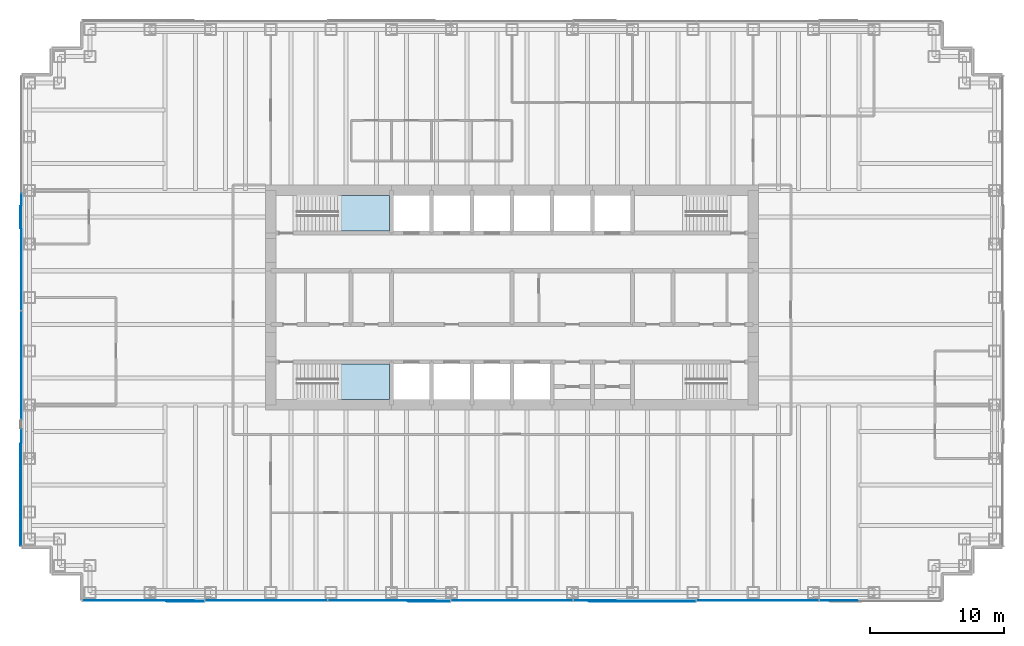
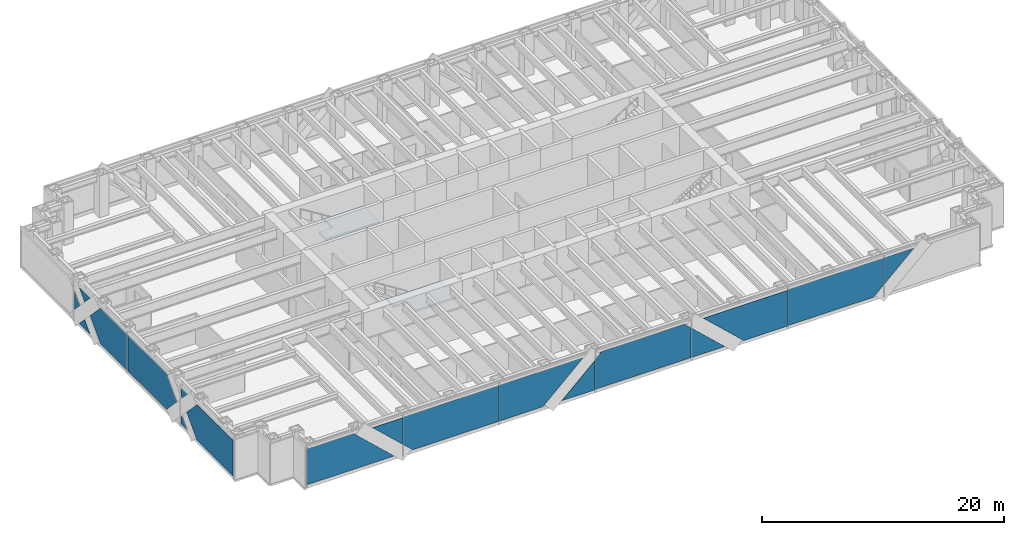
# One storey, part 10 of 19: 18 plates, 2 slabs, 4 elements without a shape of their own.
"""IFC4 building model written with IfcOpenShell, lengths in metres."""

from ifc_helpers import new_model, si_unit, direction, frame, origin, place, context, subcontext, project, spatial, polyline, outline, extrude, material, layer, layer_set, type_object, element, aggregate, save


model = new_model("IFC4")

# Units and contexts
model_context = context("Model", 3, precision=1e-05, world=origin(), true_north=direction((0.0, 1.0)))
body_context = subcontext(model_context, "Body", "Model", "MODEL_VIEW")
ifc_project = project(units=[si_unit("LENGTHUNIT", "METRE"), si_unit("AREAUNIT", "SQUARE_METRE"), si_unit("VOLUMEUNIT", "CUBIC_METRE"), si_unit("PLANEANGLEUNIT", "RADIAN"), si_unit("MASSUNIT", "GRAM", prefix="KILO")], contexts=[model_context])

# Site, building, storey
site_placement = place(None, origin())
site = spatial("IfcSite", under=ifc_project, at=site_placement, CompositionType="ELEMENT")
building_placement = place(site_placement, origin())
building = spatial("IfcBuilding", under=site, at=building_placement, Name="Rheinbord Bourse Tower", CompositionType="ELEMENT")
storey_placement = place(building_placement, frame((0.0, 0.0, 206.800048828125)))
storey = spatial("IfcBuildingStorey", under=building, at=storey_placement, Name="L46", CompositionType="ELEMENT", Elevation=206.800048828125)

# Curtain wall, plates
ifc_material_1 = material(Name="Dark glass and black aluminium", Category="aluminium")
curtain_wall_type = type_object("IfcCurtainWallType", Name="CW2 DARK GLASS CURTAIN WALL", PredefinedType="USERDEFINED", material=ifc_material_1)
curtain_wall_1_placement = place(storey_placement, origin())
curtain_wall_1 = element("IfcCurtainWall", 1, at=curtain_wall_1_placement, inside=storey, type_object=curtain_wall_type, Name="Curtain wall CW2 S L46", ObjectType="UNITISED CURTAIN WALL", PredefinedType="USERDEFINED")
ifc_material_2 = material(Name="Dark tinted triple insulating glass", Category="glass")
ifc_layer_1 = layer(ifc_material_2, 0.050048828125)
ifc_layer_set_1 = layer_set([ifc_layer_1], Name="CW2 DARK GLASS PANEL")
plate_type = type_object("IfcPlateType", Name="CW2 DARK GLASS PANEL", PredefinedType="CURTAIN_PANEL", material=ifc_layer_set_1)
plate_1_placement = place(storey_placement, frame((3.969970703125, 1.375, 0.300048828125), z_axis=(0.0, 1.0, 0.0), x_axis=(0.0, 0.0, 1.0)))
plate_1 = element("IfcPlate", 2, at=plate_1_placement, type_object=plate_type, Name="CW2 glass facet 1", PredefinedType="CURTAIN_PANEL", context=body_context, shape_type="SweptSolid", body=[
    extrude(outline(polyline([(0.0, 0.0), (3.599853515625, 0.0), (3.599853515625, 4.465087890625), (0.0, 8.322021484375), (0.0, 0.0)])), origin(), (0.0, 0.0, 1.0), 0.050048828125),
])
plate_2_placement = place(storey_placement, frame((13.035888671875, 1.31982421875, 3.89990234375), z_axis=(0.0, 1.0, 0.0), x_axis=(0.0, 0.0, -1.0)))
plate_2 = element("IfcPlate", 3, at=plate_2_placement, type_object=plate_type, Name="CW2 glass facet 2", PredefinedType="CURTAIN_PANEL", context=body_context, shape_type="SweptSolid", body=[
    extrude(outline(polyline([(0.0, 0.0), (2.639892578125, 0.0), (0.0, 2.827880859375), (0.0, 0.0)])), origin(), (0.0, 0.0, 1.0), 0.050048828125),
])
plate_3_placement = place(storey_placement, frame((13.10595703125, 1.375, 3.89990234375), z_axis=(0.0, 1.0, 0.0), x_axis=(1.0, 0.0, 0.0)))
plate_3 = element("IfcPlate", 4, at=plate_3_placement, type_object=plate_type, Name="CW2 glass facet 1", PredefinedType="CURTAIN_PANEL", context=body_context, shape_type="SweptSolid", body=[
    extrude(outline(polyline([(0.0, 0.0), (9.10205078125, 0.0), (9.10205078125, 3.599853515625), (0.958984375, 3.599853515625), (0.0, 2.704833984375), (0.0, 0.0)])), origin(), (0.0, 0.0, 1.0), 0.050048828125),
])
plate_4_placement = place(storey_placement, frame((22.278076171875, 1.375, 0.300048828125), z_axis=(0.0, 1.0, 0.0), x_axis=(0.0, 0.0, 1.0)))
plate_4 = element("IfcPlate", 5, at=plate_4_placement, type_object=plate_type, Name="CW2 glass facet 1", PredefinedType="CURTAIN_PANEL", context=body_context, shape_type="SweptSolid", body=[
    extrude(outline(polyline([(0.0, 0.0), (3.599853515625, 0.0), (3.599853515625, 8.013916015625), (0.0, 4.156982421875), (0.0, 0.0)])), origin(), (0.0, 0.0, 1.0), 0.050048828125),
])
plate_5_placement = place(storey_placement, frame((31.37890625, 1.31982421875, 0.300048828125), z_axis=(0.0, 1.0, 0.0), x_axis=(-1.0, 0.0, 0.0)))
plate_5 = element("IfcPlate", 6, at=plate_5_placement, type_object=plate_type, Name="CW2 glass facet 2", PredefinedType="CURTAIN_PANEL", context=body_context, shape_type="SweptSolid", body=[
    extrude(outline(polyline([(0.0, 0.0), (3.1708984375, 0.0), (0.0, 2.9599609375), (0.0, 0.0)])), origin(), (0.0, 0.0, 1.0), 0.050048828125),
])
plate_6_placement = place(storey_placement, frame((40.551025390625, 1.375, 0.300048828125), z_axis=(0.0, 1.0, 0.0), x_axis=(-1.0, 0.0, 0.0)))
plate_6 = element("IfcPlate", 7, at=plate_6_placement, type_object=plate_type, Name="CW2 glass facet 1", PredefinedType="CURTAIN_PANEL", context=body_context, shape_type="SweptSolid", body=[
    extrude(outline(polyline([(0.0, 0.0), (9.10205078125, 0.0), (9.10205078125, 3.02490234375), (8.486083984375, 3.599853515625), (0.615966796875, 3.599853515625), (0.0, 3.02490234375), (0.0, 0.0)])), origin(), (0.0, 0.0, 1.0), 0.050048828125),
])
plate_7_placement = place(storey_placement, frame((40.62109375, 1.375, 0.300048828125), z_axis=(0.0, 1.0, 0.0), x_axis=(0.0, 0.0, 1.0)))
plate_7 = element("IfcPlate", 8, at=plate_7_placement, type_object=plate_type, Name="CW2 glass facet 1", PredefinedType="CURTAIN_PANEL", context=body_context, shape_type="SweptSolid", body=[
    extrude(outline(polyline([(0.0, 0.0), (2.9599609375, 0.0), (0.0, 3.1708984375), (0.0, 0.0)])), origin(), (0.0, 0.0, 1.0), 0.050048828125),
])
plate_8_placement = place(storey_placement, frame((49.721923828125, 1.31982421875, 3.89990234375), z_axis=(0.0, 1.0, 0.0), x_axis=(0.0, 0.0, -1.0)))
plate_8 = element("IfcPlate", 9, at=plate_8_placement, type_object=plate_type, Name="CW2 glass facet 2", PredefinedType="CURTAIN_PANEL", context=body_context, shape_type="SweptSolid", body=[
    extrude(outline(polyline([(0.0, 0.0), (3.599853515625, 0.0), (3.599853515625, 4.156982421875), (0.0, 8.013916015625), (0.0, 0.0)])), origin(), (0.0, 0.0, 1.0), 0.050048828125),
])
plate_9_placement = place(storey_placement, frame((49.7919921875, 1.375, 0.300048828125), z_axis=(0.0, 1.0, 0.0), x_axis=(0.0, 0.0, 1.0)))
plate_9 = element("IfcPlate", 10, at=plate_9_placement, type_object=plate_type, Name="CW2 glass facet 1", PredefinedType="CURTAIN_PANEL", context=body_context, shape_type="SweptSolid", body=[
    extrude(outline(polyline([(0.0, 0.0), (3.599853515625, 0.0), (3.599853515625, 9.10205078125), (0.89501953125, 9.10205078125), (0.0, 8.14306640625), (0.0, 0.0)])), origin(), (0.0, 0.0, 1.0), 0.050048828125),
])
plate_10_placement = place(storey_placement, frame((58.964111328125, 1.375, 3.89990234375), z_axis=(0.0, 1.0, 0.0), x_axis=(1.0, 0.0, 0.0)))
plate_10 = element("IfcPlate", 11, at=plate_10_placement, type_object=plate_type, Name="CW2 glass facet 1", PredefinedType="CURTAIN_PANEL", context=body_context, shape_type="SweptSolid", body=[
    extrude(outline(polyline([(0.0, 0.0), (2.827880859375, 0.0), (0.0, 2.639892578125), (0.0, 0.0)])), origin(), (0.0, 0.0, 1.0), 0.050048828125),
])
aggregate(curtain_wall_1, [plate_1, plate_2, plate_3, plate_4, plate_5, plate_6, plate_7, plate_8, plate_9, plate_10])

curtain_wall_2_placement = place(storey_placement, origin())
curtain_wall_2 = element("IfcCurtainWall", 12, at=curtain_wall_2_placement, inside=storey, type_object=curtain_wall_type, Name="Curtain wall CW2 W L46", ObjectType="UNITISED CURTAIN WALL", PredefinedType="USERDEFINED")
plate_11_placement = place(storey_placement, frame((-0.625, 31.764892578125, 3.075927734375), z_axis=(1.0, 0.0, 0.0), x_axis=(0.0, -0.689786297997, -0.724013026882)))
plate_11 = element("IfcPlate", 13, at=plate_11_placement, type_object=plate_type, Name="CW2 glass facet 1", PredefinedType="CURTAIN_PANEL", context=body_context, shape_type="SweptSolid", body=[
    extrude(outline(polyline([(0.0, 0.0), (1.34814453125, 0.0), (1.4130859375, 1.346435546875), (0.0, 0.0)])), origin(), (0.0, 0.0, 1.0), 0.050048828125),
])
plate_12_placement = place(storey_placement, frame((-0.68017578125, 30.87890625, 0.300048828125), z_axis=(1.0, 0.0, 0.0), x_axis=(0.0, -0.689655172414, 0.724137931034)))
plate_12 = element("IfcPlate", 14, at=plate_12_placement, type_object=plate_type, Name="CW2 glass facet 2", PredefinedType="CURTAIN_PANEL", context=body_context, shape_type="SweptSolid", body=[
    extrude(outline(polyline([(0.0, 0.0), (1.2744140625, 0.0), (1.21240234375, 1.27294921875), (0.0, 0.0)])), origin(), (0.0, 0.0, 1.0), 0.050048828125),
])
plate_13_placement = place(storey_placement, frame((-0.68017578125, 29.12109375, 3.89990234375), z_axis=(1.0, 0.0, 0.0), x_axis=(0.0, 0.689655172414, -0.724137931034)))
plate_13 = element("IfcPlate", 15, at=plate_13_placement, type_object=plate_type, Name="CW2 glass facet 3", PredefinedType="CURTAIN_PANEL", context=body_context, shape_type="SweptSolid", body=[
    extrude(outline(polyline([(0.0, 0.0), (1.2744140625, 0.0), (1.21240234375, 1.27294921875), (0.0, 0.0)])), origin(), (0.0, 0.0, 1.0), 0.050048828125),
])
plate_14_placement = place(storey_placement, frame((-0.625, 23.034912109375, 3.89990234375), z_axis=(1.0, 0.0, 0.0), x_axis=(0.0, 0.0, -1.0)))
plate_14 = element("IfcPlate", 16, at=plate_14_placement, type_object=plate_type, Name="CW2 glass facet 4", PredefinedType="CURTAIN_PANEL", context=body_context, shape_type="SweptSolid", body=[
    extrude(outline(polyline([(0.0, 0.0), (3.599853515625, 0.0), (3.599853515625, 4.4150390625), (1.800048828125, 6.130126953125), (0.0, 4.4150390625), (0.0, 0.0)])), origin(), (0.0, 0.0, 1.0), 0.050048828125),
])
plate_15_placement = place(storey_placement, frame((-0.625, 22.965087890625, 0.300048828125), z_axis=(1.0, 0.0, 0.0), x_axis=(0.0, 0.0, 1.0)))
plate_15 = element("IfcPlate", 17, at=plate_15_placement, type_object=plate_type, Name="CW2 glass facet 1", PredefinedType="CURTAIN_PANEL", context=body_context, shape_type="SweptSolid", body=[
    extrude(outline(polyline([(0.0, 0.0), (3.599853515625, 0.0), (3.599853515625, 6.4150390625), (1.7998046875, 8.130126953125), (0.0, 6.4150390625), (0.0, 0.0)])), origin(), (0.0, 0.0, 1.0), 0.050048828125),
])
plate_16_placement = place(storey_placement, frame((-0.625, 14.1650390625, 0.300048828125), z_axis=(1.0, 0.0, 0.0), x_axis=(0.0, 0.0, 1.0)))
plate_16 = element("IfcPlate", 18, at=plate_16_placement, type_object=plate_type, Name="CW2 glass facet 1", PredefinedType="CURTAIN_PANEL", context=body_context, shape_type="SweptSolid", body=[
    extrude(outline(polyline([(0.0, 0.0), (0.75, 0.0), (0.9228515625, 0.1650390625), (0.0, 1.0439453125), (0.0, 0.0)])), origin(), (0.0, 0.0, 1.0), 0.050048828125),
])
plate_17_placement = place(storey_placement, frame((-0.625, 14.1650390625, 3.89990234375), z_axis=(1.0, 0.0, 0.0), x_axis=(0.0, -1.0, 0.0)))
plate_17 = element("IfcPlate", 19, at=plate_17_placement, type_object=plate_type, Name="CW2 glass facet 2", PredefinedType="CURTAIN_PANEL", context=body_context, shape_type="SweptSolid", body=[
    extrude(outline(polyline([(0.0, 0.0), (1.0439453125, 0.0), (0.1650390625, 0.9228515625), (0.0, 0.7490234375), (0.0, 0.0)])), origin(), (0.0, 0.0, 1.0), 0.050048828125),
])
plate_18_placement = place(storey_placement, frame((-0.68017578125, 5.469970703125, 3.89990234375), z_axis=(1.0, 0.0, 0.0), x_axis=(0.0, 0.0, -1.0)))
plate_18 = element("IfcPlate", 20, at=plate_18_placement, type_object=plate_type, Name="CW2 glass facet 3", PredefinedType="CURTAIN_PANEL", context=body_context, shape_type="SweptSolid", body=[
    extrude(outline(polyline([(0.0, 0.0), (3.599853515625, 0.0), (3.599853515625, 5.97998046875), (1.800048828125, 7.695068359375), (0.0, 5.97998046875), (0.0, 0.0)])), origin(), (0.0, 0.0, 1.0), 0.050048828125),
])
aggregate(curtain_wall_2, [plate_11, plate_12, plate_13, plate_14, plate_15, plate_16, plate_17, plate_18])

# Stair, slab
ifc_material_3 = material(Name="Concrete C30/37", Category="concrete")
stair_type = type_object("IfcStairType", Name="CORE STAIR HALF TURN 4200", PredefinedType="HALF_TURN_STAIR", material=ifc_material_3)
stair_1_placement = place(storey_placement, origin())
stair_1 = element("IfcStair", 21, at=stair_1_placement, inside=storey, type_object=stair_type, Name="Stair ST1 L46, type CS6", PredefinedType="HALF_TURN_STAIR")
ifc_material_4 = material(Name="Concrete C30/37", Category="concrete")
ifc_layer_2 = layer(ifc_material_4, 0.199951171875)
ifc_layer_set_2 = layer_set([ifc_layer_2], Name="STAIR LANDING 200")
slab_type = type_object("IfcSlabType", Name="STAIR LANDING 200", PredefinedType="LANDING", material=ifc_layer_set_2)
slab_1_placement = place(storey_placement, frame((0.0, 0.0, 1.89990234375)))
slab_1 = element("IfcSlab", 22, at=slab_1_placement, type_object=slab_type, Name="Half landing ST1 L46", PredefinedType="LANDING", context=body_context, shape_type="SweptSolid", body=[
    extrude(outline(polyline([(23.030029296875, 16.39990234375), (26.85009765625, 16.39990234375), (26.85009765625, 19.050048828125), (21.748046875, 19.050048828125), (21.748046875, 17.85009765625), (23.030029296875, 17.85009765625), (23.030029296875, 16.39990234375)])), origin(), (0.0, 0.0, 1.0), 0.199951171875),
])
aggregate(stair_1, [slab_1])

stair_2_placement = place(storey_placement, origin())
stair_2 = element("IfcStair", 23, at=stair_2_placement, inside=storey, type_object=stair_type, Name="Stair ST2 L46, type CS6", PredefinedType="HALF_TURN_STAIR")
slab_2_placement = place(storey_placement, frame((0.0, 0.0, 1.89990234375)))
slab_2 = element("IfcSlab", 24, at=slab_2_placement, type_object=slab_type, Name="Half landing ST2 L46", PredefinedType="LANDING", context=body_context, shape_type="SweptSolid", body=[
    extrude(outline(polyline([(21.748046875, 28.949951171875), (26.85009765625, 28.949951171875), (26.85009765625, 31.60009765625), (23.030029296875, 31.60009765625), (23.030029296875, 30.14990234375), (21.748046875, 30.14990234375), (21.748046875, 28.949951171875)])), origin(), (0.0, 0.0, 1.0), 0.199951171875),
])
aggregate(stair_2, [slab_2])

save(model, "model.ifc")
